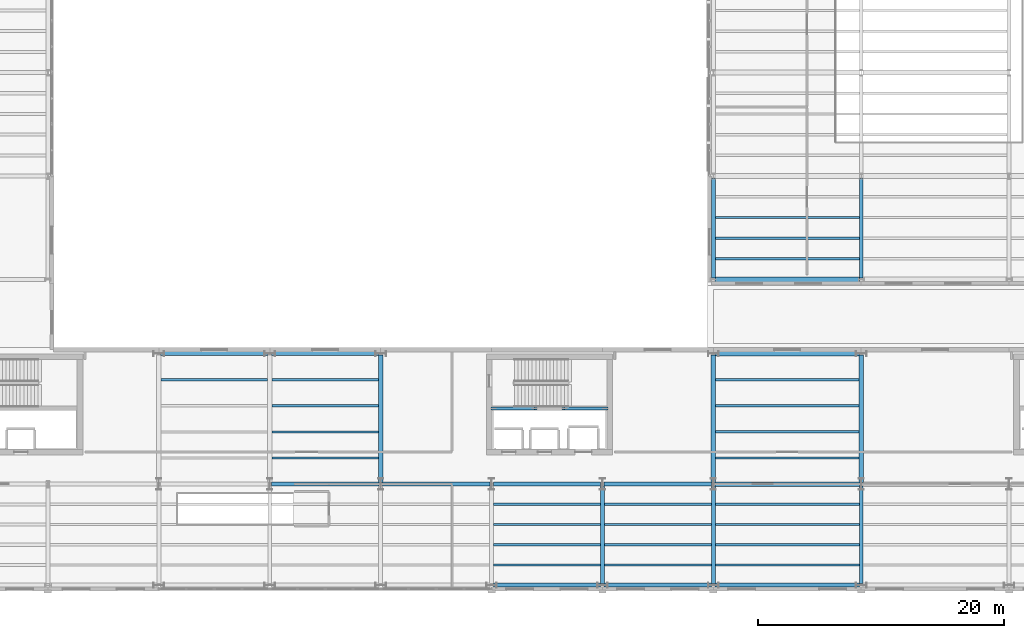
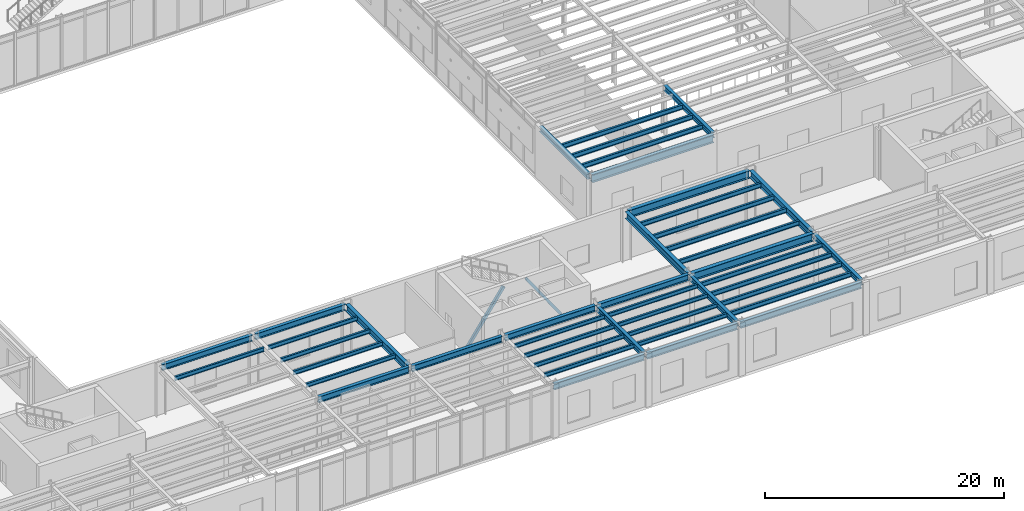
# One storey, part 33 of 98: 44 beams, 2 members.
"""IFC4 building model written with IfcOpenShell, lengths in metres."""

from ifc_helpers import new_model, si_unit, direction, frame, origin, origin_2d, place, context, subcontext, project, spatial, hollow_rectangle, i_section, extrude, material, material_profile, profile_set, type_object, element, save


model = new_model("IFC4")

# Units and contexts
model_context = context("Model", 3, precision=1e-05, world=origin(), true_north=direction((0.0, 1.0)))
body_context = subcontext(model_context, "Body", "Model", "MODEL_VIEW")
ifc_project = project(units=[si_unit("LENGTHUNIT", "METRE"), si_unit("AREAUNIT", "SQUARE_METRE"), si_unit("VOLUMEUNIT", "CUBIC_METRE"), si_unit("PLANEANGLEUNIT", "RADIAN"), si_unit("MASSUNIT", "GRAM", prefix="KILO")], contexts=[model_context])

# Site, building, storey
site_placement = place(None, origin())
site = spatial("IfcSite", under=ifc_project, at=site_placement, CompositionType="ELEMENT")
building_placement = place(site_placement, origin())
building = spatial("IfcBuilding", under=site, at=building_placement, Name="Sollismere Congress Hotel", CompositionType="ELEMENT")
storey_placement = place(building_placement, frame((0.0, 0.0, 5.39990234375)))
storey = spatial("IfcBuildingStorey", under=building, at=storey_placement, Name="L01", CompositionType="ELEMENT", Elevation=5.39990234375)

# Beams
ifc_material_1 = material(Name="Steel ASTM A992 Grade 50", Category="steel")
ifc_material_profile_1 = material_profile(ifc_material_1, i_section(OverallWidth=0.31494140625, OverallDepth=0.551025390625, WebThickness=0.01513671875, FlangeThickness=0.0244140625, at=origin_2d()), Name="W21X122")
ifc_profile_set_1 = profile_set([ifc_material_profile_1], Name="Steel ASTM A992 Grade 50")
beam_type_1 = type_object("IfcBeamType", Name="BM-G21H", PredefinedType="BEAM", material=ifc_profile_set_1)
for number, where, z_axis, x_axis, name in (
    (1, (103.0, 0.139892578125, 4.844482421875), (0.0, 1.0, 0.0), (-1.0, 0.0, 0.0), "Beam BM-L01-1674"),
    (2, (112.0, 0.139892578125, 4.844482421875), (0.0, 1.0, 0.0), (-1.0, 0.0, 0.0), "Beam BM-L01-1679"),
):
    element("IfcBeam", number, at=place(storey_placement, frame(where, z_axis=z_axis, x_axis=x_axis)), inside=storey, type_object=beam_type_1, Name=name, PredefinedType="BEAM", context=body_context, shape_type="SweptSolid", body=[
        extrude(i_section(OverallWidth=0.31494140625, OverallDepth=0.551025390625, WebThickness=0.01513671875, FlangeThickness=0.0244140625, at=origin_2d()), origin(), (0.0, 0.0, 1.0), 7.920166015625),
    ])
beam_1_placement = place(storey_placement, frame((112.0, 24.93994140625, 4.844482421875), z_axis=(0.0, 1.0, 0.0), x_axis=(-1.0, 0.0, 0.0)))
element("IfcBeam", 3, at=beam_1_placement, inside=storey, type_object=beam_type_1, Name="Beam BM-L01-1681", PredefinedType="BEAM", context=body_context, shape_type="SweptSolid", body=[
    extrude(i_section(OverallWidth=0.31494140625, OverallDepth=0.551025390625, WebThickness=0.01513671875, FlangeThickness=0.0244140625, at=origin_2d()), origin(), (0.0, 0.0, 1.0), 8.1201171875),
])
beam_2_placement = place(storey_placement, frame((124.0, 0.139892578125, 4.844482421875), z_axis=(0.0, 1.0, 0.0), x_axis=(-1.0, 0.0, 0.0)))
element("IfcBeam", 4, at=beam_2_placement, inside=storey, type_object=beam_type_1, Name="Beam BM-L01-1690", PredefinedType="BEAM", context=body_context, shape_type="SweptSolid", body=[
    extrude(i_section(OverallWidth=0.31494140625, OverallDepth=0.551025390625, WebThickness=0.01513671875, FlangeThickness=0.0244140625, at=origin_2d()), origin(), (0.0, 0.0, 1.0), 7.920166015625),
])
beam_3_placement = place(storey_placement, frame((124.0, 24.93994140625, 4.844482421875), z_axis=(0.0, 1.0, 0.0), x_axis=(-1.0, 0.0, 0.0)))
element("IfcBeam", 5, at=beam_3_placement, inside=storey, type_object=beam_type_1, Name="Beam BM-L01-1692", PredefinedType="BEAM", context=body_context, shape_type="SweptSolid", body=[
    extrude(i_section(OverallWidth=0.31494140625, OverallDepth=0.551025390625, WebThickness=0.01513671875, FlangeThickness=0.0244140625, at=origin_2d()), origin(), (0.0, 0.0, 1.0), 8.1201171875),
])
ifc_material_profile_2 = material_profile(ifc_material_1, i_section(OverallWidth=0.324951171875, OverallDepth=0.612060546875, WebThickness=0.0126953125, FlangeThickness=0.01904296875, at=origin_2d()), Name="W24X104")
ifc_profile_set_2 = profile_set([ifc_material_profile_2], Name="Steel ASTM A992 Grade 50")
beam_type_2 = type_object("IfcBeamType", Name="BM-G24", PredefinedType="BEAM", material=ifc_profile_set_2)
for number, where, z_axis, x_axis, name in (
    (6, (76.139892578125, 8.199951171875, 4.814208984375), (1.0, 0.0, 0.0), (0.0, 1.0, 0.0), "Beam BM-L01-1541"),
    (7, (85.139892578125, 8.199951171875, 4.814208984375), (1.0, 0.0, 0.0), (0.0, 1.0, 0.0), "Beam BM-L01-1542"),
    (8, (94.139892578125, 8.199951171875, 4.814208984375), (1.0, 0.0, 0.0), (0.0, 1.0, 0.0), "Beam BM-L01-1543"),
    (9, (103.139892578125, 8.199951171875, 4.814208984375), (1.0, 0.0, 0.0), (0.0, 1.0, 0.0), "Beam BM-L01-1544"),
    (10, (67.139892578125, 18.800048828125, 4.814208984375), (1.0, 0.0, 0.0), (0.0, 1.0, 0.0), "Beam BM-L01-1551"),
    (11, (76.139892578125, 18.800048828125, 4.814208984375), (1.0, 0.0, 0.0), (0.0, 1.0, 0.0), "Beam BM-L01-1552"),
):
    element("IfcBeam", number, at=place(storey_placement, frame(where, z_axis=z_axis, x_axis=x_axis)), inside=storey, type_object=beam_type_2, Name=name, PredefinedType="BEAM", context=body_context, shape_type="SweptSolid", body=[
        extrude(i_section(OverallWidth=0.324951171875, OverallDepth=0.612060546875, WebThickness=0.0126953125, FlangeThickness=0.01904296875, at=origin_2d()), origin(), (0.0, 0.0, 1.0), 8.72021484375),
    ])
ifc_material_profile_3 = material_profile(ifc_material_1, i_section(OverallWidth=0.35595703125, OverallDepth=0.696044921875, WebThickness=0.015380859375, FlangeThickness=0.025146484375, at=origin_2d()), Name="W27X146")
ifc_profile_set_3 = profile_set([ifc_material_profile_3], Name="Steel ASTM A992 Grade 50")
beam_type_3 = type_object("IfcBeamType", Name="BM-G27", PredefinedType="BEAM", material=ifc_profile_set_3)
for number, where, z_axis, x_axis, name in (
    (12, (85.0, 8.340087890625, 4.772216796875), (0.0, 1.0, 0.0), (-1.0, 0.0, 0.0), "Beam BM-L01-1667"),
    (13, (112.0, 8.340087890625, 4.772216796875), (0.0, 1.0, 0.0), (-1.0, 0.0, 0.0), "Beam BM-L01-1680"),
    (14, (124.0, 8.340087890625, 4.772216796875), (0.0, 1.0, 0.0), (-1.0, 0.0, 0.0), "Beam BM-L01-1691"),
):
    element("IfcBeam", number, at=place(storey_placement, frame(where, z_axis=z_axis, x_axis=x_axis)), inside=storey, type_object=beam_type_3, Name=name, PredefinedType="BEAM", context=body_context, shape_type="SweptSolid", body=[
        extrude(i_section(OverallWidth=0.35595703125, OverallDepth=0.696044921875, WebThickness=0.015380859375, FlangeThickness=0.025146484375, at=origin_2d()), origin(), (0.0, 0.0, 1.0), 10.31982421875),
    ])
ifc_material_profile_4 = material_profile(ifc_material_1, i_section(OverallWidth=0.384033203125, OverallDepth=0.787109375, WebThickness=0.019775390625, FlangeThickness=0.033447265625, at=origin_2d()), Name="W30X211")
ifc_profile_set_4 = profile_set([ifc_material_profile_4], Name="Steel ASTM A992 Grade 50")
beam_type_4 = type_object("IfcBeamType", Name="BM-G30", PredefinedType="BEAM", material=ifc_profile_set_4)
for number, where, z_axis, x_axis, name in (
    (15, (112.139892578125, 8.199951171875, 4.7265625), (1.0, 0.0, 0.0), (0.0, 1.0, 0.0), "Beam BM-L01-1545"),
    (16, (112.139892578125, 18.800048828125, 4.7265625), (1.0, 0.0, 0.0), (0.0, 1.0, 0.0), "Beam BM-L01-1553"),
    (17, (112.139892578125, 24.800048828125, 4.7265625), (1.0, 0.0, 0.0), (0.0, 1.0, 0.0), "Beam BM-L01-1558"),
):
    element("IfcBeam", number, at=place(storey_placement, frame(where, z_axis=z_axis, x_axis=x_axis)), inside=storey, type_object=beam_type_4, Name=name, PredefinedType="BEAM", context=body_context, shape_type="SweptSolid", body=[
        extrude(i_section(OverallWidth=0.384033203125, OverallDepth=0.787109375, WebThickness=0.019775390625, FlangeThickness=0.033447265625, at=origin_2d()), origin(), (0.0, 0.0, 1.0), 11.72021484375),
    ])
ifc_material_profile_5 = material_profile(ifc_material_1, i_section(OverallWidth=0.180908203125, OverallDepth=0.4169921875, WebThickness=0.010986328125, FlangeThickness=0.018310546875, at=origin_2d()), Name="W16X57")
ifc_profile_set_5 = profile_set([ifc_material_profile_5], Name="Steel ASTM A992 Grade 50")
beam_type_5 = type_object("IfcBeamType", Name="BM-J16", PredefinedType="JOIST", material=ifc_profile_set_5)
for number, where, z_axis, x_axis, name in (
    (18, (67.177978515625, 16.679931640625, 4.91162109375), (1.0, 0.0, 0.0), (0.0, 1.0, 0.0), "Beam BM-L01-1801"),
    (19, (76.177978515625, 10.320068359375, 4.91162109375), (1.0, 0.0, 0.0), (0.0, 1.0, 0.0), "Beam BM-L01-1809"),
    (20, (76.177978515625, 12.43994140625, 4.91162109375), (1.0, 0.0, 0.0), (0.0, 1.0, 0.0), "Beam BM-L01-1810"),
    (21, (76.177978515625, 14.56005859375, 4.91162109375), (1.0, 0.0, 0.0), (0.0, 1.0, 0.0), "Beam BM-L01-1811"),
    (22, (76.177978515625, 16.679931640625, 4.91162109375), (1.0, 0.0, 0.0), (0.0, 1.0, 0.0), "Beam BM-L01-1812"),
):
    element("IfcBeam", number, at=place(storey_placement, frame(where, z_axis=z_axis, x_axis=x_axis)), inside=storey, type_object=beam_type_5, Name=name, PredefinedType="JOIST", context=body_context, shape_type="SweptSolid", body=[
        extrude(i_section(OverallWidth=0.180908203125, OverallDepth=0.4169921875, WebThickness=0.010986328125, FlangeThickness=0.018310546875, at=origin_2d()), origin(), (0.0, 0.0, 1.0), 8.64404296875),
    ])
for number, where, z_axis, x_axis, name in (
    (23, (94.157470703125, 1.639892578125, 4.91162109375), (1.0, 0.0, 0.0), (0.0, 1.0, 0.0), "Beam BM-L01-1823"),
    (24, (94.157470703125, 3.280029296875, 4.91162109375), (1.0, 0.0, 0.0), (0.0, 1.0, 0.0), "Beam BM-L01-1824"),
    (25, (94.157470703125, 4.919921875, 4.91162109375), (1.0, 0.0, 0.0), (0.0, 1.0, 0.0), "Beam BM-L01-1825"),
    (26, (94.157470703125, 6.56005859375, 4.91162109375), (1.0, 0.0, 0.0), (0.0, 1.0, 0.0), "Beam BM-L01-1826"),
    (27, (103.157470703125, 1.639892578125, 4.91162109375), (1.0, 0.0, 0.0), (0.0, 1.0, 0.0), "Beam BM-L01-1842"),
    (28, (103.157470703125, 3.280029296875, 4.91162109375), (1.0, 0.0, 0.0), (0.0, 1.0, 0.0), "Beam BM-L01-1843"),
    (29, (103.157470703125, 4.919921875, 4.91162109375), (1.0, 0.0, 0.0), (0.0, 1.0, 0.0), "Beam BM-L01-1844"),
    (30, (103.157470703125, 6.56005859375, 4.91162109375), (1.0, 0.0, 0.0), (0.0, 1.0, 0.0), "Beam BM-L01-1845"),
):
    element("IfcBeam", number, at=place(storey_placement, frame(where, z_axis=z_axis, x_axis=x_axis)), inside=storey, type_object=beam_type_5, Name=name, PredefinedType="JOIST", context=body_context, shape_type="SweptSolid", body=[
        extrude(i_section(OverallWidth=0.180908203125, OverallDepth=0.4169921875, WebThickness=0.010986328125, FlangeThickness=0.018310546875, at=origin_2d()), origin(), (0.0, 0.0, 1.0), 8.68505859375),
    ])
ifc_material_profile_6 = material_profile(ifc_material_1, i_section(OverallWidth=0.193115234375, OverallDepth=0.467041015625, WebThickness=0.011474609375, FlangeThickness=0.01904296875, at=origin_2d()), Name="W18X65")
ifc_profile_set_6 = profile_set([ifc_material_profile_6], Name="Steel ASTM A992 Grade 50")
beam_type_6 = type_object("IfcBeamType", Name="BM-J18", PredefinedType="JOIST", material=ifc_profile_set_6)
for number, where, z_axis, x_axis, name in (
    (31, (112.157470703125, 1.639892578125, 4.88671875), (1.0, 0.0, 0.0), (0.0, 1.0, 0.0), "Beam BM-L01-1861"),
    (32, (112.157470703125, 3.280029296875, 4.88671875), (1.0, 0.0, 0.0), (0.0, 1.0, 0.0), "Beam BM-L01-1862"),
    (33, (112.157470703125, 4.919921875, 4.88671875), (1.0, 0.0, 0.0), (0.0, 1.0, 0.0), "Beam BM-L01-1863"),
    (34, (112.157470703125, 6.56005859375, 4.88671875), (1.0, 0.0, 0.0), (0.0, 1.0, 0.0), "Beam BM-L01-1864"),
):
    element("IfcBeam", number, at=place(storey_placement, frame(where, z_axis=z_axis, x_axis=x_axis)), inside=storey, type_object=beam_type_6, Name=name, PredefinedType="JOIST", context=body_context, shape_type="SweptSolid", body=[
        extrude(i_section(OverallWidth=0.193115234375, OverallDepth=0.467041015625, WebThickness=0.011474609375, FlangeThickness=0.01904296875, at=origin_2d()), origin(), (0.0, 0.0, 1.0), 11.68505859375),
    ])
for number, where, z_axis, x_axis, name in (
    (35, (112.177978515625, 10.320068359375, 4.88671875), (1.0, 0.0, 0.0), (0.0, 1.0, 0.0), "Beam BM-L01-1865"),
    (36, (112.177978515625, 12.43994140625, 4.88671875), (1.0, 0.0, 0.0), (0.0, 1.0, 0.0), "Beam BM-L01-1866"),
    (37, (112.177978515625, 14.56005859375, 4.88671875), (1.0, 0.0, 0.0), (0.0, 1.0, 0.0), "Beam BM-L01-1867"),
    (38, (112.177978515625, 16.679931640625, 4.88671875), (1.0, 0.0, 0.0), (0.0, 1.0, 0.0), "Beam BM-L01-1868"),
):
    element("IfcBeam", number, at=place(storey_placement, frame(where, z_axis=z_axis, x_axis=x_axis)), inside=storey, type_object=beam_type_6, Name=name, PredefinedType="JOIST", context=body_context, shape_type="SweptSolid", body=[
        extrude(i_section(OverallWidth=0.193115234375, OverallDepth=0.467041015625, WebThickness=0.011474609375, FlangeThickness=0.01904296875, at=origin_2d()), origin(), (0.0, 0.0, 1.0), 11.64404296875),
    ])
for number, where, z_axis, x_axis, name in (
    (39, (112.157470703125, 26.47998046875, 4.88671875), (1.0, 0.0, 0.0), (0.0, 1.0, 0.0), "Beam BM-L01-1869"),
    (40, (112.157470703125, 28.159912109375, 4.88671875), (1.0, 0.0, 0.0), (0.0, 1.0, 0.0), "Beam BM-L01-1870"),
    (41, (112.157470703125, 29.840087890625, 4.88671875), (1.0, 0.0, 0.0), (0.0, 1.0, 0.0), "Beam BM-L01-1871"),
):
    element("IfcBeam", number, at=place(storey_placement, frame(where, z_axis=z_axis, x_axis=x_axis)), inside=storey, type_object=beam_type_6, Name=name, PredefinedType="JOIST", context=body_context, shape_type="SweptSolid", body=[
        extrude(i_section(OverallWidth=0.193115234375, OverallDepth=0.467041015625, WebThickness=0.011474609375, FlangeThickness=0.01904296875, at=origin_2d()), origin(), (0.0, 0.0, 1.0), 11.68505859375),
    ])
ifc_material_profile_7 = material_profile(ifc_material_1, i_section(OverallWidth=0.330078125, OverallDepth=0.635009765625, WebThickness=0.017822265625, FlangeThickness=0.031005859375, at=origin_2d()), Name="W24X162")
ifc_profile_set_7 = profile_set([ifc_material_profile_7], Name="Steel ASTM A992 Grade 50")
beam_type_7 = type_object("IfcBeamType", Name="BM-SP24E", PredefinedType="SPANDREL", material=ifc_profile_set_7)
for number, where, z_axis, x_axis, name in (
    (42, (94.139892578125, 0.0, 4.802490234375), (1.0, 0.0, 0.0), (0.0, 1.0, 0.0), "Beam BM-L01-1529"),
    (43, (103.139892578125, 0.0, 4.802490234375), (1.0, 0.0, 0.0), (0.0, 1.0, 0.0), "Beam BM-L01-1530"),
):
    element("IfcBeam", number, at=place(storey_placement, frame(where, z_axis=z_axis, x_axis=x_axis)), inside=storey, type_object=beam_type_7, Name=name, PredefinedType="SPANDREL", context=body_context, shape_type="SweptSolid", body=[
        extrude(i_section(OverallWidth=0.330078125, OverallDepth=0.635009765625, WebThickness=0.017822265625, FlangeThickness=0.031005859375, at=origin_2d()), origin(), (0.0, 0.0, 1.0), 8.72021484375),
    ])
beam_4_placement = place(storey_placement, frame((112.139892578125, 0.0, 4.802490234375), z_axis=(1.0, 0.0, 0.0), x_axis=(0.0, 1.0, 0.0)))
element("IfcBeam", 44, at=beam_4_placement, inside=storey, type_object=beam_type_7, Name="Beam BM-L01-1531", PredefinedType="SPANDREL", context=body_context, shape_type="SweptSolid", body=[
    extrude(i_section(OverallWidth=0.330078125, OverallDepth=0.635009765625, WebThickness=0.017822265625, FlangeThickness=0.031005859375, at=origin_2d()), origin(), (0.0, 0.0, 1.0), 11.72021484375),
])

# Members
ifc_material_2 = material(Name="Steel ASTM A500 Grade C", Category="steel")
ifc_material_profile_8 = material_profile(ifc_material_2, hollow_rectangle(XDim=0.25, YDim=0.25, WallThickness=0.010009765625, at=origin_2d()), Name="HSS250X250X10")
ifc_profile_set_8 = profile_set([ifc_material_profile_8], Name="Steel ASTM A500 Grade C")
member_type = type_object("IfcMemberType", Name="MB-BR250", PredefinedType="BRACE", material=ifc_profile_set_8)
for number, where, z_axis, x_axis, name in (
    (45, (94.050048828125, 14.35009765625, 0.02001953125), (0.57281178465, 0.0, 0.819686927653), (0.0, 1.0, 0.0), "BF-003 diagonal brace"),
    (46, (103.35009765625, 14.35009765625, 0.02001953125), (-0.57281178465, 0.0, 0.819686927653), (0.0, -1.0, 0.0), "BF-004 diagonal brace"),
):
    element("IfcMember", number, at=place(storey_placement, frame(where, z_axis=z_axis, x_axis=x_axis)), inside=storey, type_object=member_type, Name=name, PredefinedType="BRACE", context=body_context, shape_type="SweptSolid", body=[
        extrude(hollow_rectangle(XDim=0.25, YDim=0.25, WallThickness=0.010009765625, at=origin_2d()), origin(), (0.0, 0.0, 1.0), 6.197509765625),
    ])

save(model, "model.ifc")
